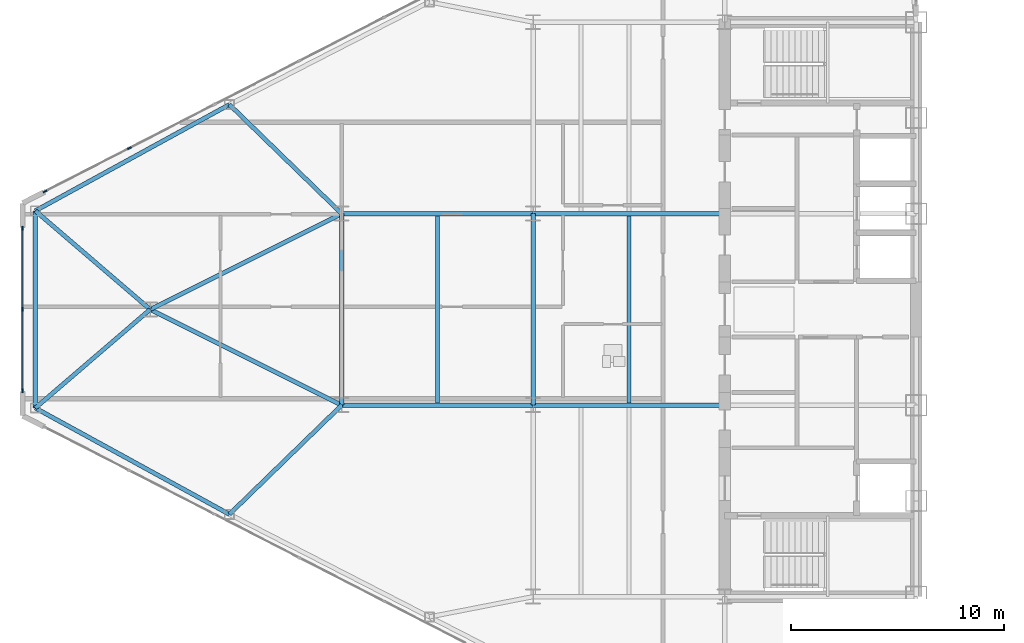
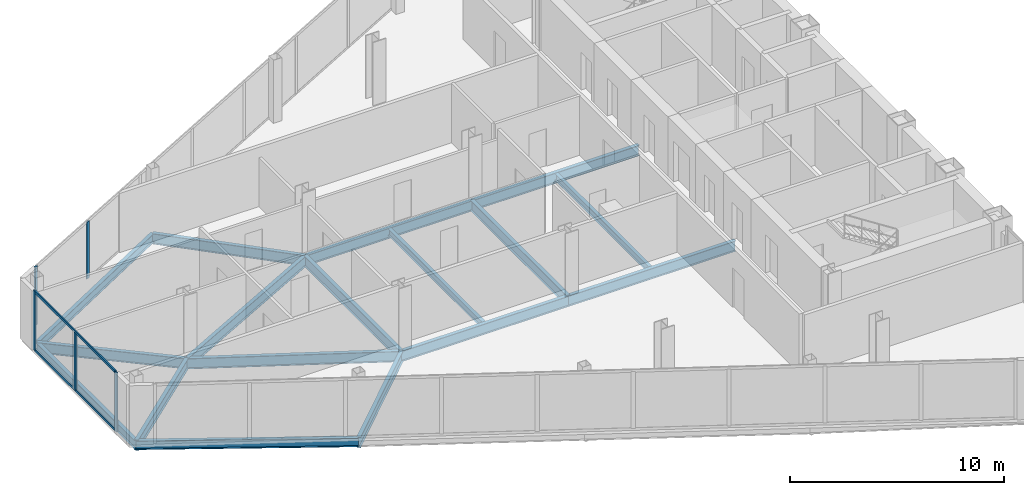
# One storey, part 4 of 22: 17 beams, 7 members, 2 elements without a shape of their own.
"""IFC4 building model written with IfcOpenShell, lengths in metres."""

from ifc_helpers import new_model, si_unit, direction, frame, origin, origin_2d, place, context, subcontext, project, spatial, rectangle, i_section, extrude, source, transform, mapped, material, layer, layer_set, material_profile, profile_set, type_object, type_shapes, element, aggregate, save


model = new_model("IFC4")

# Units and contexts
model_context = context("Model", 3, precision=1e-05, world=origin(), true_north=direction((0.0, 1.0)))
body_context = subcontext(model_context, "Body", "Model", "MODEL_VIEW")
ifc_project = project(units=[si_unit("LENGTHUNIT", "METRE"), si_unit("AREAUNIT", "SQUARE_METRE"), si_unit("VOLUMEUNIT", "CUBIC_METRE"), si_unit("PLANEANGLEUNIT", "RADIAN"), si_unit("MASSUNIT", "GRAM", prefix="KILO")], contexts=[model_context])

# Site, building, storey
site_placement = place(None, origin())
site = spatial("IfcSite", under=ifc_project, at=site_placement, CompositionType="ELEMENT")
building_placement = place(site_placement, origin())
building = spatial("IfcBuilding", under=site, at=building_placement, Name="Seokmaru Belvedere", CompositionType="ELEMENT")
storey_placement = place(building_placement, frame((0.0, 0.0, 151.199951171875)))
storey = spatial("IfcBuildingStorey", under=building, at=storey_placement, Name="L40", CompositionType="ELEMENT", Elevation=151.199951171875)

# Beams
ifc_material_1 = material(Name="Steel SM355 (355 MPa)", Category="steel")
ifc_material_profile_1 = material_profile(ifc_material_1, i_section(OverallWidth=0.199951171875, OverallDepth=0.60009765625, WebThickness=0.010986328125, FlangeThickness=0.01708984375, at=origin_2d()), Name="H-600x200x11x17")
ifc_profile_set_1 = profile_set([ifc_material_profile_1], Name="Steel SM355 (355 MPa)")
beam_type_1 = type_object("IfcBeamType", Name="Primary Floor Girder H-600", PredefinedType="BEAM", material=ifc_profile_set_1)
shared_shape_1 = source(origin(), body_context, "Body", "SweptSolid", [
    extrude(i_section(OverallWidth=0.199951171875, OverallDepth=0.60009765625, WebThickness=0.010986328125, FlangeThickness=0.01708984375, at=origin_2d()), origin(), (0.0, 0.0, 1.0), 9.0),
])
for number, where, z_axis, x_axis, name in (
    (1, (-45.5, -4.5, -0.52001953125), (0.0, 1.0, 0.0), (-1.0, 0.0, 0.0), "L40 W Interior Grid Girder 2"),
    (2, (-45.5, -4.5, -0.52001953125), (1.0, 0.0, 0.0), (0.0, 1.0, 0.0), "L40 W Wing Primary Girder 2"),
    (3, (-45.5, 4.5, -0.52001953125), (1.0, 0.0, 0.0), (0.0, 1.0, 0.0), "L40 W Wing Primary Girder 3"),
    (4, (-54.5, -4.5, -0.52001953125), (1.0, 0.0, 0.0), (0.0, 1.0, 0.0), "L40 W Outer Wing Girder 1"),
    (5, (-54.5, 4.5, -0.52001953125), (1.0, 0.0, 0.0), (0.0, 1.0, 0.0), "L40 W Outer Wing Girder 2"),
    (6, (-54.5, -4.5, -0.52001953125), (0.0, 1.0, 0.0), (-1.0, 0.0, 0.0), "L40 W Apex Frame Girder"),
):
    element("IfcBeam", number, at=place(storey_placement, frame(where, z_axis=z_axis, x_axis=x_axis)), inside=storey, type_object=beam_type_1, Name=name, PredefinedType="BEAM", context=body_context, shape_type="MappedRepresentation", body=[
        mapped(shared_shape_1, transform((0.0, 0.0, 0.0), scale=1.0)),
    ])
shared_shape_2 = source(origin(), body_context, "Body", "SweptSolid", [
    extrude(i_section(OverallWidth=0.199951171875, OverallDepth=0.60009765625, WebThickness=0.010986328125, FlangeThickness=0.01708984375, at=origin_2d()), origin(), (0.0, 0.0, 1.0), 10.062255859375),
])
for number, where, z_axis, x_axis, name in (
    (7, (-54.5, -4.5, -0.52001953125), (-0.894427191, 0.4472135955, 0.0), (-0.4472135955, -0.894427191, 0.0), "L40 W Apex Converging Girder 1"),
    (8, (-54.5, 4.5, -0.52001953125), (-0.894427191, -0.4472135955, 0.0), (0.4472135955, -0.894427191, 0.0), "L40 W Apex Converging Girder 2"),
):
    element("IfcBeam", number, at=place(storey_placement, frame(where, z_axis=z_axis, x_axis=x_axis)), inside=storey, type_object=beam_type_1, Name=name, PredefinedType="BEAM", context=body_context, shape_type="MappedRepresentation", body=[
        mapped(shared_shape_2, transform((0.0, 0.0, 0.0), scale=1.0)),
    ])
ifc_material_profile_2 = material_profile(ifc_material_1, i_section(OverallWidth=0.18505859375, OverallDepth=0.389892578125, WebThickness=0.008056640625, FlangeThickness=0.011962890625, at=origin_2d()), Name="H-390x185x8x12")
ifc_profile_set_2 = profile_set([ifc_material_profile_2], Name="Steel SM355 (355 MPa)")
beam_type_2 = type_object("IfcBeamType", Name="Secondary Floor Joist H-350", PredefinedType="JOIST", material=ifc_profile_set_2)
shared_shape_3 = source(origin(), body_context, "Body", "SweptSolid", [
    extrude(i_section(OverallWidth=0.18505859375, OverallDepth=0.389892578125, WebThickness=0.008056640625, FlangeThickness=0.011962890625, at=origin_2d()), origin(), (0.0, 0.0, 1.0), 8.7900390625),
])
type_shapes(beam_type_2, [shared_shape_3])
for number, where, z_axis, x_axis, name in (
    (9, (-41.0, -4.39501953125, -0.4150390625), (0.0, 1.0, 0.0), (-1.0, 0.0, 0.0), "L40 W Secondary Floor Joist 2"),
    (10, (-50.0, -4.39501953125, -0.4150390625), (0.0, 1.0, 0.0), (-1.0, 0.0, 0.0), "L40 W Outer Bay Secondary Joist"),
):
    element("IfcBeam", number, at=place(storey_placement, frame(where, z_axis=z_axis, x_axis=x_axis)), inside=storey, type_object=beam_type_2, Name=name, PredefinedType="JOIST", context=body_context, shape_type="MappedRepresentation", body=[
        mapped(shared_shape_3, transform((0.0, 0.0, 0.0), scale=1.0)),
    ])
ifc_material_profile_3 = material_profile(ifc_material_1, i_section(OverallWidth=0.199951171875, OverallDepth=0.5, WebThickness=0.010009765625, FlangeThickness=0.01611328125, at=origin_2d()), Name="H-500x200x10x16")
ifc_profile_set_3 = profile_set([ifc_material_profile_3], Name="Steel SM355 (355 MPa)")
beam_type_3 = type_object("IfcBeamType", Name="Perimeter Spandrel Beam H-500", PredefinedType="SPANDREL", material=ifc_profile_set_3)
shared_shape_4 = source(origin(), body_context, "Body", "SweptSolid", [
    extrude(i_section(OverallWidth=0.199951171875, OverallDepth=0.5, WebThickness=0.010009765625, FlangeThickness=0.01611328125, at=origin_2d()), origin(), (0.0, 0.0, 1.0), 10.399658203125),
])
for number, where, z_axis, x_axis, name in (
    (11, (-59.778564453125, -9.62890625, -0.469970703125), (-0.877082374422, 0.480339992587, 0.0), (-0.480339992587, -0.877082374422, 0.0), "L40 W Faceted Flank Spandrel S-4"),
    (12, (-59.778564453125, 9.62890625, -0.469970703125), (-0.877082374422, -0.480339992587, 0.0), (0.480339992587, -0.877082374422, 0.0), "L40 W Faceted Flank Spandrel N-4"),
):
    element("IfcBeam", number, at=place(storey_placement, frame(where, z_axis=z_axis, x_axis=x_axis)), inside=storey, type_object=beam_type_3, Name=name, PredefinedType="SPANDREL", context=body_context, shape_type="MappedRepresentation", body=[
        mapped(shared_shape_4, transform((0.0, 0.0, 0.0), scale=1.0)),
    ])
shared_shape_5 = source(origin(), body_context, "Body", "SweptSolid", [
    extrude(i_section(OverallWidth=0.199951171875, OverallDepth=0.5, WebThickness=0.010009765625, FlangeThickness=0.01611328125, at=origin_2d()), origin(), (0.0, 0.0, 1.0), 9.26708984375),
])
type_shapes(beam_type_3, [shared_shape_4, shared_shape_5])
beam_placement = place(storey_placement, frame((-68.89990234375, -4.633544921875, -0.469970703125), z_axis=(0.0, 1.0, 0.0), x_axis=(-1.0, 0.0, 0.0)))
element("IfcBeam", 13, at=beam_placement, inside=storey, type_object=beam_type_3, Name="L40 W Faceted Apex Spandrel", PredefinedType="SPANDREL", context=body_context, shape_type="MappedRepresentation", body=[
    mapped(shared_shape_5, transform((0.0, 0.0, 0.0), scale=1.0)),
])
shared_shape_6 = source(origin(), body_context, "Body", "SweptSolid", [
    extrude(i_section(OverallWidth=0.199951171875, OverallDepth=0.60009765625, WebThickness=0.010986328125, FlangeThickness=0.01708984375, at=origin_2d()), origin(), (0.0, 0.0, 1.0), 7.35986328125),
])
for number, where, z_axis, x_axis, name in (
    (14, (-59.778564453125, -9.62890625, -0.52001953125), (0.717200745515, 0.696866623273, 0.0), (-0.696866623273, 0.717200745515, 0.0), "L40 W Flank Radial Floor Girder S-3"),
    (15, (-59.778564453125, 9.62890625, -0.52001953125), (0.717200745515, -0.696866623273, 0.0), (0.696866623273, 0.717200745515, 0.0), "L40 W Flank Radial Floor Girder N-3"),
):
    element("IfcBeam", number, at=place(storey_placement, frame(where, z_axis=z_axis, x_axis=x_axis)), inside=storey, type_object=beam_type_1, Name=name, PredefinedType="BEAM", context=body_context, shape_type="MappedRepresentation", body=[
        mapped(shared_shape_6, transform((0.0, 0.0, 0.0), scale=1.0)),
    ])
shared_shape_7 = source(origin(), body_context, "Body", "SweptSolid", [
    extrude(i_section(OverallWidth=0.199951171875, OverallDepth=0.60009765625, WebThickness=0.010986328125, FlangeThickness=0.01708984375, at=origin_2d()), origin(), (0.0, 0.0, 1.0), 7.115478515625),
])
type_shapes(beam_type_1, [shared_shape_1, shared_shape_2, shared_shape_6, shared_shape_7])
for number, where, z_axis, x_axis, name in (
    (16, (-68.89990234375, -4.633544921875, -0.52001953125), (0.758905301881, 0.651201000289, 0.0), (-0.651201000289, 0.758905301881, 0.0), "L40 W Apex Radial Floor Girder 1"),
    (17, (-68.89990234375, 4.633544921875, -0.52001953125), (0.758905301881, -0.651201000289, 0.0), (0.651201000289, 0.758905301881, 0.0), "L40 W Apex Radial Floor Girder 2"),
):
    element("IfcBeam", number, at=place(storey_placement, frame(where, z_axis=z_axis, x_axis=x_axis)), inside=storey, type_object=beam_type_1, Name=name, PredefinedType="BEAM", context=body_context, shape_type="MappedRepresentation", body=[
        mapped(shared_shape_7, transform((0.0, 0.0, 0.0), scale=1.0)),
    ])

# Curtain wall, member
ifc_material_2 = material(Name="Bronze Triple Insulating Glass", Category="glass")
ifc_layer = layer(ifc_material_2, 0.195068359375)
ifc_layer_set = layer_set([ifc_layer], Name="Bronze Triple Insulating Glass")
curtain_wall_type = type_object("IfcCurtainWallType", Name="Sky-Lobby and Mid-Rise Curtain Wall System CW-4", PredefinedType="NOTDEFINED", material=ifc_layer_set)
curtain_wall_1_placement = place(storey_placement, origin())
curtain_wall_1 = element("IfcCurtainWall", 18, at=curtain_wall_1_placement, inside=storey, type_object=curtain_wall_type, Name="L40 Curtain Wall WF3", PredefinedType="NOTDEFINED")
ifc_material_3 = material(Name="Anodised Bronze Aluminium", Category="aluminium")
ifc_material_profile_4 = material_profile(ifc_material_3, rectangle(XDim=0.070068359375, YDim=0.195068359375, at=origin_2d()), Name="CW-M-70x195")
ifc_profile_set_4 = profile_set([ifc_material_profile_4], Name="Anodised Bronze Aluminium")
member_type_1 = type_object("IfcMemberType", Name="Bronze Unitised Mullion 70x195", PredefinedType="MULLION", material=ifc_profile_set_4)
shared_shape_8 = source(origin(), body_context, "Body", "SweptSolid", [
    extrude(rectangle(XDim=0.070068359375, YDim=0.195068359375, at=origin_2d()), origin(), (0.0, 0.0, 1.0), 3.380126953125),
])
member_1_placement = place(storey_placement, frame((-68.44580078125, 5.541015625, 0.0), z_axis=(0.0, 0.0, 1.0), x_axis=(0.456554528263, -0.889695432562, 0.0)))
member_1 = element("IfcMember", 19, at=member_1_placement, type_object=member_type_1, Name="CW:L40:WF3 Mullion 10", PredefinedType="MULLION", context=body_context, shape_type="MappedRepresentation", body=[
    mapped(shared_shape_8, transform((0.0, 0.0, 0.0), scale=1.0)),
])

# Curtain wall, members
curtain_wall_2_placement = place(storey_placement, origin())
curtain_wall_2 = element("IfcCurtainWall", 20, at=curtain_wall_2_placement, inside=storey, type_object=curtain_wall_type, Name="L40 Curtain Wall WF4", PredefinedType="NOTDEFINED")
member_2_placement = place(storey_placement, frame((-69.5, 3.81494140625, 0.0), z_axis=(0.0, 0.0, 1.0), x_axis=(1.0, 0.0, 0.0)))
member_2 = element("IfcMember", 21, at=member_2_placement, type_object=member_type_1, Name="CW:L40:WF4 Mullion 1", PredefinedType="MULLION", context=body_context, shape_type="MappedRepresentation", body=[
    mapped(shared_shape_8, transform((0.0, 0.0, 0.0), scale=1.0)),
])
member_3_placement = place(storey_placement, frame((-69.5, -3.81494140625, 0.0), z_axis=(0.0, 0.0, 1.0), x_axis=(1.0, 0.0, 0.0)))
member_3 = element("IfcMember", 22, at=member_3_placement, type_object=member_type_1, Name="CW:L40:WF4 Mullion 3", PredefinedType="MULLION", context=body_context, shape_type="MappedRepresentation", body=[
    mapped(shared_shape_8, transform((0.0, 0.0, 0.0), scale=1.0)),
])

# Member
shared_shape_9 = source(origin(), body_context, "Body", "SweptSolid", [
    extrude(rectangle(XDim=0.070068359375, YDim=0.195068359375, at=origin_2d()), origin(), (0.0, 0.0, 1.0), 3.25),
])
type_shapes(member_type_1, [shared_shape_8, shared_shape_9])
member_4_placement = place(storey_placement, frame((-64.48193359375, 7.574951171875, 0.06494140625), z_axis=(0.0, 0.0, 1.0), x_axis=(0.456554528263, -0.889695432562, 0.0)))
member_4 = element("IfcMember", 23, at=member_4_placement, type_object=member_type_1, Name="CW:L40:WF3 Mullion 9", PredefinedType="MULLION", context=body_context, shape_type="MappedRepresentation", body=[
    mapped(shared_shape_9, transform((0.0, 0.0, 0.0), scale=1.0)),
])

aggregate(curtain_wall_1, [member_4, member_1])

member_5_placement = place(storey_placement, frame((-69.5, 0.0, 0.06494140625), z_axis=(0.0, 0.0, 1.0), x_axis=(1.0, 0.0, 0.0)))
member_5 = element("IfcMember", 24, at=member_5_placement, type_object=member_type_1, Name="CW:L40:WF4 Mullion 2", PredefinedType="MULLION", context=body_context, shape_type="MappedRepresentation", body=[
    mapped(shared_shape_9, transform((0.0, 0.0, 0.0), scale=1.0)),
])

ifc_material_profile_5 = material_profile(ifc_material_3, rectangle(XDim=0.06494140625, YDim=0.14990234375, at=origin_2d()), Name="CW-T-65x150")
ifc_profile_set_5 = profile_set([ifc_material_profile_5], Name="Anodised Bronze Aluminium")
member_type_2 = type_object("IfcMemberType", Name="Bronze Unitised Transom 65x150", PredefinedType="USERDEFINED", material=ifc_profile_set_5)
shared_shape_10 = source(origin(), body_context, "Body", "SweptSolid", [
    extrude(rectangle(XDim=0.06494140625, YDim=0.14990234375, at=origin_2d()), origin(), (0.0, 0.0, 1.0), 7.56005859375),
])
type_shapes(member_type_2, [shared_shape_10])
member_6_placement = place(storey_placement, frame((-69.5, 3.780029296875, 0.032470703125), z_axis=(0.0, -1.0, 0.0), x_axis=(1.0, 0.0, 0.0)))
member_6 = element("IfcMember", 25, at=member_6_placement, type_object=member_type_2, Name="CW:L40:WF4 Continuous Transom 1", ObjectType="TRANSOM", PredefinedType="USERDEFINED", context=body_context, shape_type="MappedRepresentation", body=[
    mapped(shared_shape_10, transform((0.0, 0.0, 0.0), scale=1.0)),
])

member_7_placement = place(storey_placement, frame((-69.5, 3.780029296875, 3.34765625), z_axis=(0.0, -1.0, 0.0), x_axis=(1.0, 0.0, 0.0)))
member_7 = element("IfcMember", 26, at=member_7_placement, type_object=member_type_2, Name="CW:L40:WF4 Continuous Transom 2", ObjectType="TRANSOM", PredefinedType="USERDEFINED", context=body_context, shape_type="MappedRepresentation", body=[
    mapped(shared_shape_10, transform((0.0, 0.0, 0.0), scale=1.0)),
])

aggregate(curtain_wall_2, [member_2, member_5, member_3, member_6, member_7])

save(model, "model.ifc")
